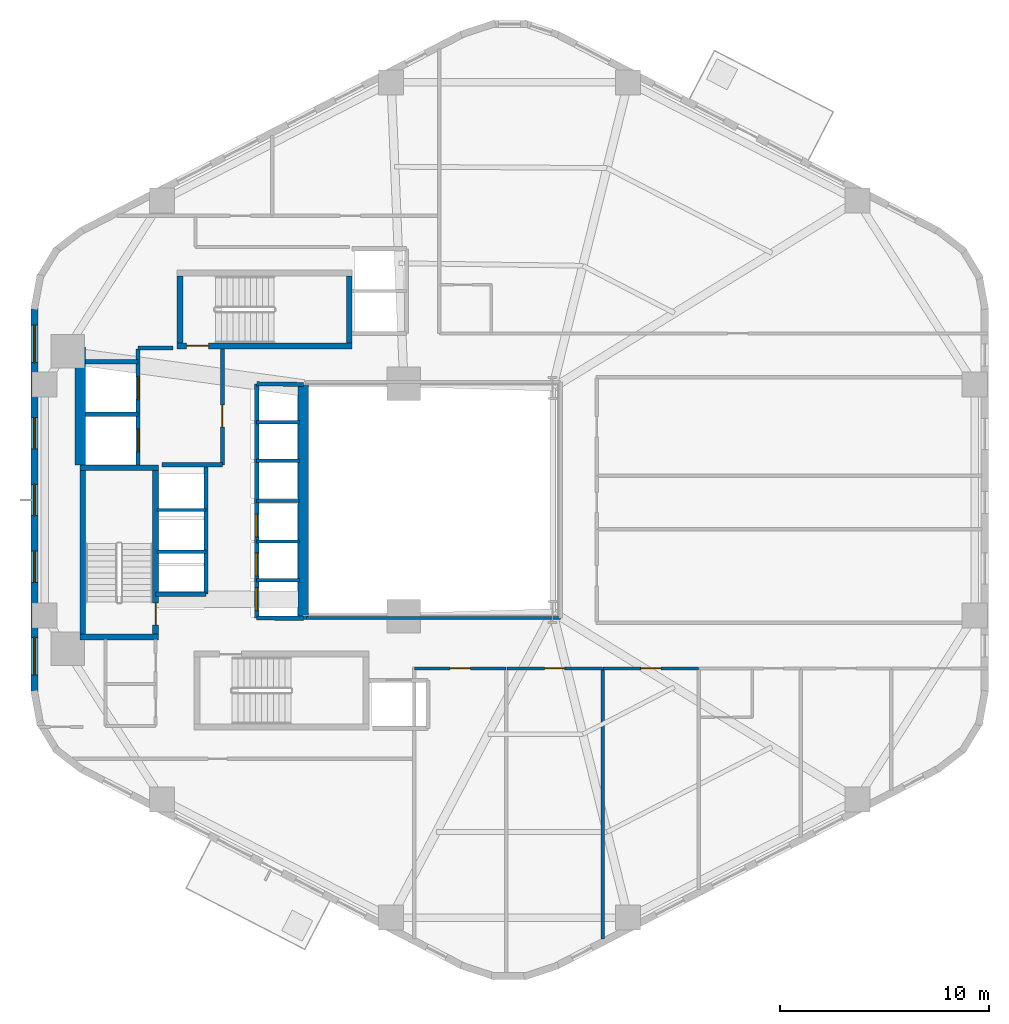
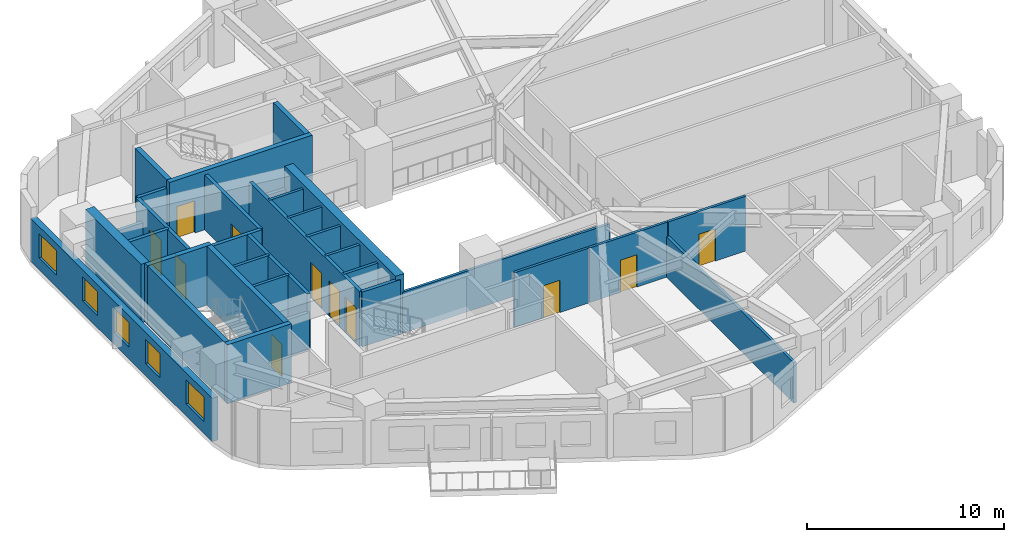
# One storey, part 3 of 8: 33 walls, 11 doors, 5 windows, 16 openings.
"""IFC4 building model written with IfcOpenShell, lengths in metres."""

from ifc_helpers import new_model, si_unit, direction, frame, frame_2d, origin, place, context, subcontext, project, spatial, rectangle, extrude, material, layer, layer_set, type_object, element, fill, save


model = new_model("IFC4")

# Units and contexts
model_context = context("Model", 3, precision=1e-05, world=origin(), true_north=direction((0.0, 1.0)))
body_context = subcontext(model_context, "Body", "Model", "MODEL_VIEW")
ifc_project = project(units=[si_unit("LENGTHUNIT", "METRE"), si_unit("AREAUNIT", "SQUARE_METRE"), si_unit("VOLUMEUNIT", "CUBIC_METRE"), si_unit("PLANEANGLEUNIT", "RADIAN"), si_unit("MASSUNIT", "GRAM", prefix="KILO"), si_unit("THERMODYNAMICTEMPERATUREUNIT", "KELVIN"), si_unit("POWERUNIT", "WATT")], contexts=[model_context])

# Site, building, storey
site_placement = place(None, origin())
site = spatial("IfcSite", under=ifc_project, at=site_placement, CompositionType="ELEMENT")
building_placement = place(site_placement, origin())
building = spatial("IfcBuilding", under=site, at=building_placement, Name="Skarre Station Tower", CompositionType="ELEMENT")
storey_placement = place(building_placement, frame((0.0, 0.0, 81.75)))
storey = spatial("IfcBuildingStorey", under=building, at=storey_placement, Name="L21", CompositionType="ELEMENT", Elevation=81.75)

# Wall
ifc_material_1 = material(Name="Acoustic Steel-Stud Gypsum Partition", Category="steel")
ifc_layer_1 = layer(ifc_material_1, 0.14990234375, Name="Acoustic Steel-Stud Gypsum Partition")
ifc_layer_set_1 = layer_set([ifc_layer_1], Name="Acoustic Steel-Stud Gypsum Partition")
wall_type_1 = type_object("IfcWallType", Name="Fire-Rated Corridor Acoustic Partition 150", PredefinedType="PARTITIONING", material=ifc_layer_set_1)
wall_1_placement = place(storey_placement, frame((27.699951171875, 18.360107421875, 0.0), z_axis=(0.0, 0.0, 1.0), x_axis=(1.0, 0.0, 0.0)))
element("IfcWall", 1, at=wall_1_placement, inside=storey, type_object=wall_type_1, Name="L21 Interior Partition WL-PT-L21-ATRW-S", PredefinedType="PARTITIONING", context=body_context, shape_type="SweptSolid", body=[
    extrude(rectangle(XDim=12.14013671875, YDim=0.14990234375, at=frame_2d((6.070068359375, 0.0))), origin(), (0.0, 0.0, 1.0), 2.531005859375),
])

# Wall, opening, door
wall_2_placement = place(storey_placement, frame((32.85009765625, 15.9599609375, 0.0), z_axis=(0.0, 0.0, 1.0), x_axis=(1.0, 0.0, 0.0)))
wall_2 = element("IfcWall", 2, at=wall_2_placement, inside=storey, type_object=wall_type_1, Name="L21 Interior Partition WL-PT-L21-SW1-CW", PredefinedType="PARTITIONING", context=body_context, shape_type="SweptSolid", body=[
    extrude(rectangle(XDim=4.37890625, YDim=0.14990234375, at=frame_2d((2.189453125, 0.0))), origin(), (0.0, 0.0, 1.0), 3.389892578125),
])
opening_1_placement = place(wall_2_placement, frame((1.7099609375, 0.0, 0.0)))
opening_1 = element("IfcOpeningElement", 3, at=opening_1_placement, cuts=wall_2, Name="Opening DR-FD60", PredefinedType="OPENING", context=body_context, shape_type="SweptSolid", body=[
    extrude(rectangle(XDim=0.9599609375, YDim=2.0, at=frame_2d((0.47998046875, 1.0))), frame((0.0, 0.0849609375, 0.0), z_axis=(0.0, -1.0, 0.0), x_axis=(1.0, 0.0, 0.0)), (0.0, 0.0, 1.0), 0.169921875),
])
ifc_material_2 = material(Name="Nordic White-Oak Veneer Solid-Core Fire Leaf", Category="wood")
door_type_1 = type_object("IfcDoorType", Name="Corridor Suite Entry Fire Door FD60 960x2150", OperationType="SINGLE_SWING_LEFT", PredefinedType="DOOR", material=ifc_material_2)
door_1_placement = place(opening_1_placement, origin())
door_1 = element("IfcDoor", 4, at=door_1_placement, inside=storey, type_object=door_type_1, Name="L21 SW1 Entry Door", OperationType="SINGLE_SWING_LEFT", OverallHeight=2.0, OverallWidth=0.9599609375, PredefinedType="DOOR", context=body_context, shape_type="SweptSolid", body=[
    extrude(rectangle(XDim=0.9599609375, YDim=2.0, at=frame_2d((0.47998046875, 1.0))), frame((0.0, 0.02490234375, 0.0), z_axis=(0.0, -1.0, 0.0), x_axis=(1.0, 0.0, 0.0)), (0.0, 0.0, 1.0), 0.050048828125),
])
fill(opening_1, door_1)

wall_3_placement = place(storey_placement, frame((37.264892578125, 15.9599609375, 0.0), z_axis=(0.0, 0.0, 1.0), x_axis=(1.0, 0.0, 0.0)))
wall_3 = element("IfcWall", 5, at=wall_3_placement, inside=storey, type_object=wall_type_1, Name="L21 Interior Partition WL-PT-L21-SW2-CW", PredefinedType="PARTITIONING", context=body_context, shape_type="SweptSolid", body=[
    extrude(rectangle(XDim=4.56103515625, YDim=0.14990234375, at=frame_2d((2.280517578125, 0.0))), origin(), (0.0, 0.0, 1.0), 3.389892578125),
])
opening_2_placement = place(wall_3_placement, frame((1.801025390625, 0.0, 0.0)))
opening_2 = element("IfcOpeningElement", 6, at=opening_2_placement, cuts=wall_3, Name="Opening DR-FD60", PredefinedType="OPENING", context=body_context, shape_type="SweptSolid", body=[
    extrude(rectangle(XDim=0.9599609375, YDim=2.0, at=frame_2d((0.47998046875, 1.0))), frame((0.0, 0.0849609375, 0.0), z_axis=(0.0, -1.0, 0.0), x_axis=(1.0, 0.0, 0.0)), (0.0, 0.0, 1.0), 0.169921875),
])
door_2_placement = place(opening_2_placement, origin())
door_2 = element("IfcDoor", 7, at=door_2_placement, inside=storey, type_object=door_type_1, Name="L21 SW2 Entry Door", OperationType="SINGLE_SWING_LEFT", OverallHeight=2.0, OverallWidth=0.9599609375, PredefinedType="DOOR", context=body_context, shape_type="SweptSolid", body=[
    extrude(rectangle(XDim=0.9599609375, YDim=2.0, at=frame_2d((0.47998046875, 1.0))), frame((0.0, 0.02490234375, 0.0), z_axis=(0.0, -1.0, 0.0), x_axis=(1.0, 0.0, 0.0)), (0.0, 0.0, 1.0), 0.050048828125),
])
fill(opening_2, door_2)

wall_4_placement = place(storey_placement, frame((41.862060546875, 15.9599609375, 0.0), z_axis=(0.0, 0.0, 1.0), x_axis=(1.0, 0.0, 0.0)))
wall_4 = element("IfcWall", 8, at=wall_4_placement, inside=storey, type_object=wall_type_1, Name="L21 Interior Partition WL-PT-L21-SW3-CW", PredefinedType="PARTITIONING", context=body_context, shape_type="SweptSolid", body=[
    extrude(rectangle(XDim=4.56201171875, YDim=0.14990234375, at=frame_2d((2.281005859375, 0.0))), origin(), (0.0, 0.0, 1.0), 3.389892578125),
])
opening_3_placement = place(wall_4_placement, frame((1.801025390625, 0.0, 0.0)))
opening_3 = element("IfcOpeningElement", 9, at=opening_3_placement, cuts=wall_4, Name="Opening DR-FD60", PredefinedType="OPENING", context=body_context, shape_type="SweptSolid", body=[
    extrude(rectangle(XDim=0.9599609375, YDim=2.0, at=frame_2d((0.47998046875, 1.0))), frame((0.0, 0.0849609375, 0.0), z_axis=(0.0, -1.0, 0.0), x_axis=(1.0, 0.0, 0.0)), (0.0, 0.0, 1.0), 0.169921875),
])
door_3_placement = place(opening_3_placement, origin())
door_3 = element("IfcDoor", 10, at=door_3_placement, inside=storey, type_object=door_type_1, Name="L21 SW3 Entry Door", OperationType="SINGLE_SWING_LEFT", OverallHeight=2.0, OverallWidth=0.9599609375, PredefinedType="DOOR", context=body_context, shape_type="SweptSolid", body=[
    extrude(rectangle(XDim=0.9599609375, YDim=2.0, at=frame_2d((0.47998046875, 1.0))), frame((0.0, 0.02490234375, 0.0), z_axis=(0.0, -1.0, 0.0), x_axis=(1.0, 0.0, 0.0)), (0.0, 0.0, 1.0), 0.050048828125),
])
fill(opening_3, door_3)

# Wall, openings, windows
ifc_material_3 = material(Name="Precast concrete C45/55", Category="concrete")
ifc_layer_2 = layer(ifc_material_3, 0.340087890625, Name="Precast concrete C45/55")
ifc_layer_set_2 = layer_set([ifc_layer_2], Name="Precast concrete C45/55")
wall_type_2 = type_object("IfcWallType", Name="Nordic Honed Precast Facet Wall 340", PredefinedType="STANDARD", material=ifc_layer_set_2)
wall_5_placement = place(storey_placement, frame((14.70703125, 14.798095703125, 0.0), z_axis=(0.0, 0.0, 1.0), x_axis=(0.0, 1.0, 0.0)))
wall_5 = element("IfcWall", 11, at=wall_5_placement, inside=storey, type_object=wall_type_2, Name="L21 Facet 2 Nordic Precast Masonry Wall", PredefinedType="STANDARD", context=body_context, shape_type="SweptSolid", body=[
    extrude(rectangle(XDim=18.40380859375, YDim=0.340087890625, at=frame_2d((9.201904296875, 0.0))), origin(), (0.0, 0.0, 1.0), 2.68408203125),
])
opening_4_placement = place(wall_5_placement, frame((0.844970703125, 0.0, 0.75)))
opening_4 = element("IfcOpeningElement", 12, at=opening_4_placement, cuts=wall_5, Name="Opening WN-Z1A", PredefinedType="OPENING", context=body_context, shape_type="SweptSolid", body=[
    extrude(rectangle(XDim=1.800048828125, YDim=1.5, at=frame_2d((0.89990234375, 0.75))), frame((0.0, 0.179931640625, 0.0), z_axis=(0.0, -1.0, 0.0), x_axis=(1.0, 0.0, 0.0)), (0.0, 0.0, 1.0), 0.360107421875),
])
opening_5_placement = place(wall_5_placement, frame((5.264892578125, 0.0, 0.75)))
opening_5 = element("IfcOpeningElement", 13, at=opening_5_placement, cuts=wall_5, Name="Opening WN-Z1B", PredefinedType="OPENING", context=body_context, shape_type="SweptSolid", body=[
    extrude(rectangle(XDim=1.5, YDim=1.5, at=frame_2d((0.75, 0.75))), frame((0.0, 0.179931640625, 0.0), z_axis=(0.0, -1.0, 0.0), x_axis=(1.0, 0.0, 0.0)), (0.0, 0.0, 1.0), 0.360107421875),
])
opening_6_placement = place(wall_5_placement, frame((8.451904296875, 0.0, 0.75)))
opening_6 = element("IfcOpeningElement", 14, at=opening_6_placement, cuts=wall_5, Name="Opening WN-Z1B", PredefinedType="OPENING", context=body_context, shape_type="SweptSolid", body=[
    extrude(rectangle(XDim=1.5, YDim=1.5, at=frame_2d((0.75, 0.75))), frame((0.0, 0.179931640625, 0.0), z_axis=(0.0, -1.0, 0.0), x_axis=(1.0, 0.0, 0.0)), (0.0, 0.0, 1.0), 0.360107421875),
])
opening_7_placement = place(wall_5_placement, frame((11.638916015625, 0.0, 0.75)))
opening_7 = element("IfcOpeningElement", 15, at=opening_7_placement, cuts=wall_5, Name="Opening WN-Z1B", PredefinedType="OPENING", context=body_context, shape_type="SweptSolid", body=[
    extrude(rectangle(XDim=1.5, YDim=1.5, at=frame_2d((0.75, 0.75))), frame((0.0, 0.179931640625, 0.0), z_axis=(0.0, -1.0, 0.0), x_axis=(1.0, 0.0, 0.0)), (0.0, 0.0, 1.0), 0.360107421875),
])
opening_8_placement = place(wall_5_placement, frame((15.758056640625, 0.0, 0.75)))
opening_8 = element("IfcOpeningElement", 16, at=opening_8_placement, cuts=wall_5, Name="Opening WN-Z1A", PredefinedType="OPENING", context=body_context, shape_type="SweptSolid", body=[
    extrude(rectangle(XDim=1.800048828125, YDim=1.5, at=frame_2d((0.89990234375, 0.75))), frame((0.0, 0.179931640625, 0.0), z_axis=(0.0, -1.0, 0.0), x_axis=(1.0, 0.0, 0.0)), (0.0, 0.0, 1.0), 0.360107421875),
])
ifc_material_4 = material(Name="Low-Iron Triple Glazing with Bronze Anodized Frame", Category="glass")
window_type_1 = type_object("IfcWindowType", Name="Nordic Punched Triple-Glazed Window 1500x1500", PartitioningType="SINGLE_PANEL", PredefinedType="WINDOW", material=ifc_material_4)
window_1_placement = place(opening_5_placement, origin())
window_1 = element("IfcWindow", 17, at=window_1_placement, inside=storey, type_object=window_type_1, Name="L21 Facade Window WL-FAC-L21-F2-2", OverallHeight=1.5, OverallWidth=1.5, PartitioningType="SINGLE_PANEL", PredefinedType="WINDOW", context=body_context, shape_type="SweptSolid", body=[
    extrude(rectangle(XDim=1.5, YDim=1.5, at=frame_2d((0.75, 0.75))), frame((0.0, 0.030029296875, 0.0), z_axis=(0.0, -1.0, 0.0), x_axis=(1.0, 0.0, 0.0)), (0.0, 0.0, 1.0), 0.06005859375),
])
fill(opening_5, window_1)
window_2_placement = place(opening_6_placement, origin())
window_2 = element("IfcWindow", 18, at=window_2_placement, inside=storey, type_object=window_type_1, Name="L21 Facade Window WL-FAC-L21-F2-3", OverallHeight=1.5, OverallWidth=1.5, PartitioningType="SINGLE_PANEL", PredefinedType="WINDOW", context=body_context, shape_type="SweptSolid", body=[
    extrude(rectangle(XDim=1.5, YDim=1.5, at=frame_2d((0.75, 0.75))), frame((0.0, 0.030029296875, 0.0), z_axis=(0.0, -1.0, 0.0), x_axis=(1.0, 0.0, 0.0)), (0.0, 0.0, 1.0), 0.06005859375),
])
fill(opening_6, window_2)
window_3_placement = place(opening_7_placement, origin())
window_3 = element("IfcWindow", 19, at=window_3_placement, inside=storey, type_object=window_type_1, Name="L21 Facade Window WL-FAC-L21-F2-4", OverallHeight=1.5, OverallWidth=1.5, PartitioningType="SINGLE_PANEL", PredefinedType="WINDOW", context=body_context, shape_type="SweptSolid", body=[
    extrude(rectangle(XDim=1.5, YDim=1.5, at=frame_2d((0.75, 0.75))), frame((0.0, 0.030029296875, 0.0), z_axis=(0.0, -1.0, 0.0), x_axis=(1.0, 0.0, 0.0)), (0.0, 0.0, 1.0), 0.06005859375),
])
fill(opening_7, window_3)
window_type_2 = type_object("IfcWindowType", Name="Nordic Punched Triple-Glazed Window 1800x1500", PartitioningType="SINGLE_PANEL", PredefinedType="WINDOW", material=ifc_material_4)
window_4_placement = place(opening_4_placement, origin())
window_4 = element("IfcWindow", 20, at=window_4_placement, inside=storey, type_object=window_type_2, Name="L21 Facade Window WL-FAC-L21-F2-1", OverallHeight=1.5, OverallWidth=1.800048828125, PartitioningType="SINGLE_PANEL", PredefinedType="WINDOW", context=body_context, shape_type="SweptSolid", body=[
    extrude(rectangle(XDim=1.800048828125, YDim=1.5, at=frame_2d((0.89990234375, 0.75))), frame((0.0, 0.030029296875, 0.0), z_axis=(0.0, -1.0, 0.0), x_axis=(1.0, 0.0, 0.0)), (0.0, 0.0, 1.0), 0.06005859375),
])
fill(opening_4, window_4)
window_5_placement = place(opening_8_placement, origin())
window_5 = element("IfcWindow", 21, at=window_5_placement, inside=storey, type_object=window_type_2, Name="L21 Facade Window WL-FAC-L21-F2-5", OverallHeight=1.5, OverallWidth=1.800048828125, PartitioningType="SINGLE_PANEL", PredefinedType="WINDOW", context=body_context, shape_type="SweptSolid", body=[
    extrude(rectangle(XDim=1.800048828125, YDim=1.5, at=frame_2d((0.89990234375, 0.75))), frame((0.0, 0.030029296875, 0.0), z_axis=(0.0, -1.0, 0.0), x_axis=(1.0, 0.0, 0.0)), (0.0, 0.0, 1.0), 0.06005859375),
])
fill(opening_8, window_5)

# Walls
ifc_material_5 = material(Name="Concrete C50/60", Category="concrete")
ifc_layer_3 = layer(ifc_material_5, 0.280029296875, Name="Concrete C50/60")
ifc_layer_set_3 = layer_set([ifc_layer_3], Name="Concrete C50/60")
wall_type_3 = type_object("IfcWallType", Name="RC Core Shear Wall 280", PredefinedType="SHEAR", material=ifc_layer_set_3)
for number, where, z_axis, x_axis, name in (
    (22, (16.8701171875, 17.4599609375, 0.0), (0.0, 0.0, 1.0), (1.0, 0.0, 0.0), "L21 Stair ST-1 South Shear Wall"),
    (23, (20.6298828125, 25.5400390625, 0.0), (0.0, 0.0, 1.0), (-1.0, 0.0, 0.0), "L21 Stair ST-1 North Shear Wall"),
):
    element("IfcWall", number, at=place(storey_placement, frame(where, z_axis=z_axis, x_axis=x_axis)), inside=storey, type_object=wall_type_3, Name=name, PredefinedType="SHEAR", context=body_context, shape_type="SweptSolid", body=[
        extrude(rectangle(XDim=3.759765625, YDim=0.280029296875, at=frame_2d((1.8798828125, 0.0))), origin(), (0.0, 0.0, 1.0), 3.64990234375),
    ])
wall_6_placement = place(storey_placement, frame((17.010009765625, 25.39990234375, 0.0), z_axis=(0.0, 0.0, 1.0), x_axis=(0.0, -1.0, 0.0)))
element("IfcWall", 24, at=wall_6_placement, inside=storey, type_object=wall_type_3, Name="L21 Stair ST-1 West Shear Wall", PredefinedType="SHEAR", context=body_context, shape_type="SweptSolid", body=[
    extrude(rectangle(XDim=7.7998046875, YDim=0.280029296875, at=frame_2d((3.89990234375, 0.0))), origin(), (0.0, 0.0, 1.0), 3.64990234375),
])

# Wall, opening, door
wall_7_placement = place(storey_placement, frame((20.489990234375, 17.60009765625, 0.0), z_axis=(0.0, 0.0, 1.0), x_axis=(0.0, 1.0, 0.0)))
wall_7 = element("IfcWall", 25, at=wall_7_placement, inside=storey, type_object=wall_type_3, Name="L21 Stair ST-1 East Shear Wall", PredefinedType="SHEAR", context=body_context, shape_type="SweptSolid", body=[
    extrude(rectangle(XDim=7.7998046875, YDim=0.280029296875, at=frame_2d((3.89990234375, 0.0))), origin(), (0.0, 0.0, 1.0), 3.64990234375),
])
opening_9_placement = place(wall_7_placement, frame((0.43994140625, 0.0, 0.0)))
opening_9 = element("IfcOpeningElement", 26, at=opening_9_placement, cuts=wall_7, Name="Opening DR-FD90", PredefinedType="OPENING", context=body_context, shape_type="SweptSolid", body=[
    extrude(rectangle(XDim=1.050048828125, YDim=2.0, at=frame_2d((0.52490234375, 1.0))), frame((0.0, 0.14990234375, 0.0), z_axis=(0.0, -1.0, 0.0), x_axis=(1.0, 0.0, 0.0)), (0.0, 0.0, 1.0), 0.300048828125),
])
ifc_material_6 = material(Name="Fire-Rated Insulated Steel Frame & Timber Core Leaf", Category="steel")
door_type_2 = type_object("IfcDoorType", Name="Stair & FSAE Lobby Fire Door FD90 1050x2150", OperationType="SINGLE_SWING_RIGHT", PredefinedType="DOOR", material=ifc_material_6)
door_4_placement = place(opening_9_placement, origin())
door_4 = element("IfcDoor", 27, at=door_4_placement, inside=storey, type_object=door_type_2, Name="L21 Stair ST-1 Exit Door", OperationType="SINGLE_SWING_RIGHT", OverallHeight=2.0, OverallWidth=1.050048828125, PredefinedType="DOOR", context=body_context, shape_type="SweptSolid", body=[
    extrude(rectangle(XDim=1.050048828125, YDim=2.0, at=frame_2d((0.52490234375, 1.0))), frame((0.0, 0.02490234375, 0.0), z_axis=(0.0, -1.0, 0.0), x_axis=(1.0, 0.0, 0.0)), (0.0, 0.0, 1.0), 0.050048828125),
])
fill(opening_9, door_4)

wall_8_placement = place(storey_placement, frame((21.52001953125, 31.360107421875, 0.0), z_axis=(0.0, 0.0, 1.0), x_axis=(1.0, 0.0, 0.0)))
wall_8 = element("IfcWall", 28, at=wall_8_placement, inside=storey, type_object=wall_type_3, Name="L21 Stair ST-3 South Shear Wall", PredefinedType="SHEAR", context=body_context, shape_type="SweptSolid", body=[
    extrude(rectangle(XDim=8.35986328125, YDim=0.280029296875, at=frame_2d((4.179931640625, 0.0))), origin(), (0.0, 0.0, 1.0), 3.64990234375),
])
opening_10_placement = place(wall_8_placement, frame((0.449951171875, 0.0, 0.0)))
opening_10 = element("IfcOpeningElement", 29, at=opening_10_placement, cuts=wall_8, Name="Opening DR-FD90", PredefinedType="OPENING", context=body_context, shape_type="SweptSolid", body=[
    extrude(rectangle(XDim=1.050048828125, YDim=2.0, at=frame_2d((0.52490234375, 1.0))), frame((0.0, 0.14990234375, 0.0), z_axis=(0.0, -1.0, 0.0), x_axis=(1.0, 0.0, 0.0)), (0.0, 0.0, 1.0), 0.300048828125),
])
door_5_placement = place(opening_10_placement, origin())
door_5 = element("IfcDoor", 30, at=door_5_placement, inside=storey, type_object=door_type_2, Name="L21 Stair ST-3 & FSAE Lobby Direct Exit Door", OperationType="SINGLE_SWING_LEFT", OverallHeight=2.0, OverallWidth=1.050048828125, PredefinedType="DOOR", context=body_context, shape_type="SweptSolid", body=[
    extrude(rectangle(XDim=1.050048828125, YDim=2.0, at=frame_2d((0.52490234375, 1.0))), frame((0.0, 0.02490234375, 0.0), z_axis=(0.0, -1.0, 0.0), x_axis=(1.0, 0.0, 0.0)), (0.0, 0.0, 1.0), 0.050048828125),
])
fill(opening_10, door_5)

# Walls
for number, where, z_axis, x_axis, name in (
    (31, (21.659912109375, 34.699951171875, 0.0), (0.0, 0.0, 1.0), (0.0, -1.0, 0.0), "L21 Stair ST-3 West Shear Wall"),
    (32, (29.739990234375, 31.5, 0.0), (0.0, 0.0, 1.0), (0.0, 1.0, 0.0), "L21 Stair ST-3 East Shear Wall"),
):
    element("IfcWall", number, at=place(storey_placement, frame(where, z_axis=z_axis, x_axis=x_axis)), inside=storey, type_object=wall_type_3, Name=name, PredefinedType="SHEAR", context=body_context, shape_type="SweptSolid", body=[
        extrude(rectangle(XDim=3.199951171875, YDim=0.280029296875, at=frame_2d((1.60009765625, 0.0))), origin(), (0.0, 0.0, 1.0), 3.64990234375),
    ])
ifc_material_7 = material(Name="Concrete C70/85", Category="concrete")
ifc_layer_4 = layer(ifc_material_7, 0.5, Name="Concrete C70/85")
ifc_layer_set_4 = layer_set([ifc_layer_4], Name="Concrete C70/85")
wall_type_4 = type_object("IfcWallType", Name="RC Core Shear Wall 500", PredefinedType="SHEAR", material=ifc_layer_set_4)
wall_9_placement = place(storey_placement, frame((16.89990234375, 25.679931640625, 0.0), z_axis=(0.0, 0.0, 1.0), x_axis=(0.0, 1.0, 0.0)))
element("IfcWall", 33, at=wall_9_placement, inside=storey, type_object=wall_type_4, Name="L21 Core West-North Shear Wall", PredefinedType="SHEAR", context=body_context, shape_type="SweptSolid", body=[
    extrude(rectangle(XDim=5.6201171875, YDim=0.5, at=frame_2d((2.81005859375, 0.0))), origin(), (0.0, 0.0, 1.0), 3.64990234375),
])
wall_10_placement = place(storey_placement, frame((27.550048828125, 29.550048828125, 0.0), z_axis=(0.0, 0.0, 1.0), x_axis=(0.0, -1.0, 0.0)))
element("IfcWall", 34, at=wall_10_placement, inside=storey, type_object=wall_type_4, Name="L21 Core East Atrium Shear Wall", PredefinedType="SHEAR", context=body_context, shape_type="SweptSolid", body=[
    extrude(rectangle(XDim=11.25, YDim=0.5, at=frame_2d((5.625, 0.0))), origin(), (0.0, 0.0, 1.0), 3.64990234375),
])

# Wall, openings, doors
ifc_material_8 = material(Name="Gypsum Concrete Shaft Assembly C30/37", Category="concrete")
ifc_layer_5 = layer(ifc_material_8, 0.199951171875, Name="Gypsum Concrete Shaft Assembly C30/37")
ifc_layer_set_5 = layer_set([ifc_layer_5], Name="Gypsum Concrete Shaft Assembly C30/37")
wall_type_5 = type_object("IfcWallType", Name="Shaft & Core Fire Partition 200", PredefinedType="PARTITIONING", material=ifc_layer_set_5)
wall_11_placement = place(storey_placement, frame((19.64990234375, 25.679931640625, 0.0), z_axis=(0.0, 0.0, 1.0), x_axis=(0.0, 1.0, 0.0)))
wall_11 = element("IfcWall", 35, at=wall_11_placement, inside=storey, type_object=wall_type_5, Name="L21 Interior Partition WL-PT-L21-FSAE-W", PredefinedType="PARTITIONING", context=body_context, shape_type="SweptSolid", body=[
    extrude(rectangle(XDim=5.5400390625, YDim=0.199951171875, at=frame_2d((2.77001953125, 0.0))), origin(), (0.0, 0.0, 1.0), 3.389892578125),
])
opening_11_placement = place(wall_11_placement, frame((0.6201171875, 0.0, 0.0)))
opening_11 = element("IfcOpeningElement", 36, at=opening_11_placement, cuts=wall_11, Name="Opening LD-FF1", PredefinedType="OPENING", context=body_context, shape_type="SweptSolid", body=[
    extrude(rectangle(XDim=1.10009765625, YDim=2.199951171875, at=frame_2d((0.550048828125, 1.10009765625))), frame((0.0, 0.10986328125, 0.0), z_axis=(0.0, -1.0, 0.0), x_axis=(1.0, 0.0, 0.0)), (0.0, 0.0, 1.0), 0.219970703125),
])
opening_12_placement = place(wall_11_placement, frame((3.1201171875, 0.0, 0.0)))
opening_12 = element("IfcOpeningElement", 37, at=opening_12_placement, cuts=wall_11, Name="Opening LD-FF2", PredefinedType="OPENING", context=body_context, shape_type="SweptSolid", body=[
    extrude(rectangle(XDim=1.10009765625, YDim=2.199951171875, at=frame_2d((0.550048828125, 1.10009765625))), frame((0.0, 0.10986328125, 0.0), z_axis=(0.0, -1.0, 0.0), x_axis=(1.0, 0.0, 0.0)), (0.0, 0.0, 1.0), 0.219970703125),
])
ifc_material_9 = material(Name="Fire-Rated Stainless Steel Grade 316L Sliding Leaves", Category="steel")
door_type_3 = type_object("IfcDoorType", Name="Fire Service Access Elevator Sliding Landing Door 1100x2200", OperationType="SLIDING_TO_LEFT", PredefinedType="DOOR", material=ifc_material_9)
door_6_placement = place(opening_11_placement, origin())
door_6 = element("IfcDoor", 38, at=door_6_placement, inside=storey, type_object=door_type_3, Name="L21 Firefighting Lift LF-FF1 Landing Door", OperationType="SLIDING_TO_LEFT", OverallHeight=2.199951171875, OverallWidth=1.10009765625, PredefinedType="DOOR", context=body_context, shape_type="SweptSolid", body=[
    extrude(rectangle(XDim=1.10009765625, YDim=2.199951171875, at=frame_2d((0.550048828125, 1.10009765625))), frame((0.0, 0.02490234375, 0.0), z_axis=(0.0, -1.0, 0.0), x_axis=(1.0, 0.0, 0.0)), (0.0, 0.0, 1.0), 0.050048828125),
])
fill(opening_11, door_6)
door_7_placement = place(opening_12_placement, origin())
door_7 = element("IfcDoor", 39, at=door_7_placement, inside=storey, type_object=door_type_3, Name="L21 Firefighting Lift LF-FF2 Landing Door", OperationType="SLIDING_TO_LEFT", OverallHeight=2.199951171875, OverallWidth=1.10009765625, PredefinedType="DOOR", context=body_context, shape_type="SweptSolid", body=[
    extrude(rectangle(XDim=1.10009765625, YDim=2.199951171875, at=frame_2d((0.550048828125, 1.10009765625))), frame((0.0, 0.02490234375, 0.0), z_axis=(0.0, -1.0, 0.0), x_axis=(1.0, 0.0, 0.0)), (0.0, 0.0, 1.0), 0.050048828125),
])
fill(opening_12, door_7)

# Wall
wall_12_placement = place(storey_placement, frame((20.79296875, 25.679931640625, 0.0), z_axis=(0.0, 0.0, 1.0), x_axis=(1.0, 0.0, 0.0)))
element("IfcWall", 40, at=wall_12_placement, inside=storey, type_object=wall_type_5, Name="L21 Interior Partition WL-PT-L21-FSAE-S", PredefinedType="PARTITIONING", context=body_context, shape_type="SweptSolid", body=[
    extrude(rectangle(XDim=2.886962890625, YDim=0.199951171875, at=frame_2d((1.443359375, 0.0))), origin(), (0.0, 0.0, 1.0), 3.389892578125),
])

# Wall, opening, door
wall_13_placement = place(storey_placement, frame((23.679931640625, 25.679931640625, 0.0), z_axis=(0.0, 0.0, 1.0), x_axis=(0.0, 1.0, 0.0)))
wall_13 = element("IfcWall", 41, at=wall_13_placement, inside=storey, type_object=wall_type_5, Name="L21 Interior Partition WL-PT-L21-FSAE-E", PredefinedType="PARTITIONING", context=body_context, shape_type="SweptSolid", body=[
    extrude(rectangle(XDim=5.5400390625, YDim=0.199951171875, at=frame_2d((2.77001953125, 0.0))), origin(), (0.0, 0.0, 1.0), 3.389892578125),
])
opening_13_placement = place(wall_13_placement, frame((1.800048828125, 0.0, 0.0)))
opening_13 = element("IfcOpeningElement", 42, at=opening_13_placement, cuts=wall_13, Name="Opening DR-FD90", PredefinedType="OPENING", context=body_context, shape_type="SweptSolid", body=[
    extrude(rectangle(XDim=1.050048828125, YDim=2.0, at=frame_2d((0.52490234375, 1.0))), frame((0.0, 0.10986328125, 0.0), z_axis=(0.0, -1.0, 0.0), x_axis=(1.0, 0.0, 0.0)), (0.0, 0.0, 1.0), 0.219970703125),
])
door_8_placement = place(opening_13_placement, origin())
door_8 = element("IfcDoor", 43, at=door_8_placement, inside=storey, type_object=door_type_2, Name="L21 FSAE Lobby Fire Door", OperationType="SINGLE_SWING_RIGHT", OverallHeight=2.0, OverallWidth=1.050048828125, PredefinedType="DOOR", context=body_context, shape_type="SweptSolid", body=[
    extrude(rectangle(XDim=1.050048828125, YDim=2.0, at=frame_2d((0.52490234375, 1.0))), frame((0.0, 0.02490234375, 0.0), z_axis=(0.0, -1.0, 0.0), x_axis=(1.0, 0.0, 0.0)), (0.0, 0.0, 1.0), 0.050048828125),
])
fill(opening_13, door_8)

# Walls
wall_14_placement = place(storey_placement, frame((21.330078125, 31.260009765625, 0.0), z_axis=(0.0, 0.0, 1.0), x_axis=(-1.0, 0.0, 0.0)))
element("IfcWall", 44, at=wall_14_placement, inside=storey, type_object=wall_type_5, Name="L21 Interior Partition WL-PT-L21-FSAE-N", PredefinedType="PARTITIONING", context=body_context, shape_type="SweptSolid", body=[
    extrude(rectangle(XDim=1.68017578125, YDim=0.199951171875, at=frame_2d((0.840087890625, 0.0))), origin(), (0.0, 0.0, 1.0), 3.389892578125),
])
wall_15_placement = place(storey_placement, frame((17.14990234375, 28.10009765625, 0.0), z_axis=(0.0, 0.0, 1.0), x_axis=(1.0, 0.0, 0.0)))
element("IfcWall", 45, at=wall_15_placement, inside=storey, type_object=wall_type_5, Name="L21 Interior Partition WL-PT-L21-FF-DIV", PredefinedType="PARTITIONING", context=body_context, shape_type="SweptSolid", body=[
    extrude(rectangle(XDim=2.5, YDim=0.199951171875, at=frame_2d((1.25, 0.0))), origin(), (0.0, 0.0, 1.0), 3.389892578125),
])
wall_16_placement = place(storey_placement, frame((19.64990234375, 30.60009765625, 0.0), z_axis=(0.0, 0.0, 1.0), x_axis=(-1.0, 0.0, 0.0)))
element("IfcWall", 46, at=wall_16_placement, inside=storey, type_object=wall_type_5, Name="L21 Interior Partition WL-PT-L21-FF-N", PredefinedType="PARTITIONING", context=body_context, shape_type="SweptSolid", body=[
    extrude(rectangle(XDim=2.5, YDim=0.199951171875, at=frame_2d((1.25, 0.0))), origin(), (0.0, 0.0, 1.0), 2.2900390625),
])
wall_17_placement = place(storey_placement, frame((22.89990234375, 19.5, 0.0), z_axis=(0.0, 0.0, 1.0), x_axis=(0.0, 1.0, 0.0)))
element("IfcWall", 47, at=wall_17_placement, inside=storey, type_object=wall_type_5, Name="L21 Interior Partition WL-PT-L21-B3-E", PredefinedType="PARTITIONING", context=body_context, shape_type="SweptSolid", body=[
    extrude(rectangle(XDim=6.0849609375, YDim=0.199951171875, at=frame_2d((3.04248046875, 0.0))), origin(), (0.0, 0.0, 1.0), 3.389892578125),
])
wall_18_placement = place(storey_placement, frame((20.489990234375, 19.5, 0.0), z_axis=(0.0, 0.0, 1.0), x_axis=(1.0, 0.0, 0.0)))
element("IfcWall", 48, at=wall_18_placement, inside=storey, type_object=wall_type_5, Name="L21 Interior Partition WL-PT-L21-B3-S", PredefinedType="PARTITIONING", context=body_context, shape_type="SweptSolid", body=[
    extrude(rectangle(XDim=2.409912109375, YDim=0.199951171875, at=frame_2d((1.205078125, 0.0))), origin(), (0.0, 0.0, 1.0), 2.2900390625),
])
for number, where, z_axis, x_axis, name in (
    (49, (20.550048828125, 21.52001953125, 0.0), (0.0, 0.0, 1.0), (1.0, 0.0, 0.0), "L21 Interior Partition WL-PT-L21-B3-D1"),
    (50, (20.550048828125, 23.52001953125, 0.0), (0.0, 0.0, 1.0), (1.0, 0.0, 0.0), "L21 Interior Partition WL-PT-L21-B3-D2"),
):
    element("IfcWall", number, at=place(storey_placement, frame(where, z_axis=z_axis, x_axis=x_axis)), inside=storey, type_object=wall_type_5, Name=name, PredefinedType="PARTITIONING", context=body_context, shape_type="SweptSolid", body=[
        extrude(rectangle(XDim=2.349853515625, YDim=0.159912109375, at=frame_2d((1.1748046875, 0.0))), origin(), (0.0, 0.0, 1.0), 3.389892578125),
    ])

# Wall, openings, doors
wall_19_placement = place(storey_placement, frame((25.320068359375, 29.550048828125, 0.0), z_axis=(0.0, 0.0, 1.0), x_axis=(0.0, -1.0, 0.0)))
wall_19 = element("IfcWall", 51, at=wall_19_placement, inside=storey, type_object=wall_type_5, Name="L21 Interior Partition WL-PT-L21-B12-W", PredefinedType="PARTITIONING", context=body_context, shape_type="SweptSolid", body=[
    extrude(rectangle(XDim=11.18994140625, YDim=0.199951171875, at=frame_2d((5.594970703125, 0.0))), origin(), (0.0, 0.0, 1.0), 3.389892578125),
])
opening_14_placement = place(wall_19_placement, frame((6.219970703125, 0.0, 0.0)))
opening_14 = element("IfcOpeningElement", 52, at=opening_14_placement, cuts=wall_19, Name="Opening LD-P3", PredefinedType="OPENING", context=body_context, shape_type="SweptSolid", body=[
    extrude(rectangle(XDim=1.10009765625, YDim=2.199951171875, at=frame_2d((0.550048828125, 1.10009765625))), frame((0.0, 0.10986328125, 0.0), z_axis=(0.0, -1.0, 0.0), x_axis=(1.0, 0.0, 0.0)), (0.0, 0.0, 1.0), 0.219970703125),
])
opening_15_placement = place(wall_19_placement, frame((8.070068359375, 0.0, 0.0)))
opening_15 = element("IfcOpeningElement", 53, at=opening_15_placement, cuts=wall_19, Name="Opening LD-P2", PredefinedType="OPENING", context=body_context, shape_type="SweptSolid", body=[
    extrude(rectangle(XDim=1.10009765625, YDim=2.199951171875, at=frame_2d((0.550048828125, 1.10009765625))), frame((0.0, 0.10986328125, 0.0), z_axis=(0.0, -1.0, 0.0), x_axis=(1.0, 0.0, 0.0)), (0.0, 0.0, 1.0), 0.219970703125),
])
opening_16_placement = place(wall_19_placement, frame((9.72998046875, 0.0, 0.0)))
opening_16 = element("IfcOpeningElement", 54, at=opening_16_placement, cuts=wall_19, Name="Opening LD-P1", PredefinedType="OPENING", context=body_context, shape_type="SweptSolid", body=[
    extrude(rectangle(XDim=1.10009765625, YDim=2.199951171875, at=frame_2d((0.550048828125, 1.10009765625))), frame((0.0, 0.10986328125, 0.0), z_axis=(0.0, -1.0, 0.0), x_axis=(1.0, 0.0, 0.0)), (0.0, 0.0, 1.0), 0.219970703125),
])
ifc_material_10 = material(Name="Brushed Bronze Stainless Steel Sliding Leaves", Category="steel")
door_type_4 = type_object("IfcDoorType", Name="Passenger Elevator Center-Parting Sliding Door 1100x2200", OperationType="SLIDING_TO_LEFT", PredefinedType="DOOR", material=ifc_material_10)
door_9_placement = place(opening_14_placement, origin())
door_9 = element("IfcDoor", 55, at=door_9_placement, inside=storey, type_object=door_type_4, Name="L21 Passenger Lift LF-P3 Landing Door", OperationType="SLIDING_TO_LEFT", OverallHeight=2.199951171875, OverallWidth=1.10009765625, PredefinedType="DOOR", context=body_context, shape_type="SweptSolid", body=[
    extrude(rectangle(XDim=1.10009765625, YDim=2.199951171875, at=frame_2d((0.550048828125, 1.10009765625))), frame((0.0, 0.02490234375, 0.0), z_axis=(0.0, -1.0, 0.0), x_axis=(1.0, 0.0, 0.0)), (0.0, 0.0, 1.0), 0.050048828125),
])
fill(opening_14, door_9)
door_10_placement = place(opening_15_placement, origin())
door_10 = element("IfcDoor", 56, at=door_10_placement, inside=storey, type_object=door_type_4, Name="L21 Passenger Lift LF-P2 Landing Door", OperationType="SLIDING_TO_LEFT", OverallHeight=2.199951171875, OverallWidth=1.10009765625, PredefinedType="DOOR", context=body_context, shape_type="SweptSolid", body=[
    extrude(rectangle(XDim=1.10009765625, YDim=2.199951171875, at=frame_2d((0.550048828125, 1.10009765625))), frame((0.0, 0.02490234375, 0.0), z_axis=(0.0, -1.0, 0.0), x_axis=(1.0, 0.0, 0.0)), (0.0, 0.0, 1.0), 0.050048828125),
])
fill(opening_15, door_10)
door_11_placement = place(opening_16_placement, origin())
door_11 = element("IfcDoor", 57, at=door_11_placement, inside=storey, type_object=door_type_4, Name="L21 Passenger Lift LF-P1 Landing Door", OperationType="SLIDING_TO_LEFT", OverallHeight=2.199951171875, OverallWidth=1.10009765625, PredefinedType="DOOR", context=body_context, shape_type="SweptSolid", body=[
    extrude(rectangle(XDim=1.10009765625, YDim=2.199951171875, at=frame_2d((0.550048828125, 1.10009765625))), frame((0.0, 0.02490234375, 0.0), z_axis=(0.0, -1.0, 0.0), x_axis=(1.0, 0.0, 0.0)), (0.0, 0.0, 1.0), 0.050048828125),
])
fill(opening_16, door_11)

# Walls
wall_20_placement = place(storey_placement, frame((25.320068359375, 18.360107421875, 0.0), z_axis=(0.0, 0.0, 1.0), x_axis=(0.999989925833, -0.004488678231, 0.0)))
element("IfcWall", 58, at=wall_20_placement, inside=storey, type_object=wall_type_5, Name="L21 Interior Partition WL-PT-L21-B12-S", PredefinedType="PARTITIONING", context=body_context, shape_type="SweptSolid", body=[
    extrude(rectangle(XDim=2.22998046875, YDim=0.199951171875, at=frame_2d((1.114990234375, 0.0))), origin(), (0.0, 0.0, 1.0), 3.389892578125),
])
wall_21_placement = place(storey_placement, frame((27.550048828125, 29.52001953125, 0.0), z_axis=(0.0, 0.0, 1.0), x_axis=(-0.999909343457, 0.013464949556, 0.0)))
element("IfcWall", 59, at=wall_21_placement, inside=storey, type_object=wall_type_5, Name="L21 Interior Partition WL-PT-L21-B12-N", PredefinedType="PARTITIONING", context=body_context, shape_type="SweptSolid", body=[
    extrude(rectangle(XDim=2.230224609375, YDim=0.199951171875, at=frame_2d((1.115234375, 0.0))), origin(), (0.0, 0.0, 1.0), 2.2900390625),
])
for number, where, z_axis, x_axis, name in (
    (60, (25.320068359375, 20.169921875, 0.0), (0.0, 0.0, 1.0), (1.0, 0.0, 0.0), "L21 Interior Partition WL-PT-L21-B12-D201"),
    (61, (25.320068359375, 22.02001953125, 0.0), (0.0, 0.0, 1.0), (1.0, 0.0, 0.0), "L21 Interior Partition WL-PT-L21-B12-D220"),
    (62, (25.320068359375, 23.949951171875, 0.0), (0.0, 0.0, 1.0), (1.0, 0.0, 0.0), "L21 Interior Partition WL-PT-L21-B12-D239"),
    (63, (25.320068359375, 25.8701171875, 0.0), (0.0, 0.0, 1.0), (1.0, 0.0, 0.0), "L21 Interior Partition WL-PT-L21-B12-D258"),
    (64, (25.320068359375, 27.719970703125, 0.0), (0.0, 0.0, 1.0), (1.0, 0.0, 0.0), "L21 Interior Partition WL-PT-L21-B12-D277"),
):
    element("IfcWall", number, at=place(storey_placement, frame(where, z_axis=z_axis, x_axis=x_axis)), inside=storey, type_object=wall_type_5, Name=name, PredefinedType="PARTITIONING", context=body_context, shape_type="SweptSolid", body=[
        extrude(rectangle(XDim=2.030029296875, YDim=0.159912109375, at=frame_2d((1.01513671875, 0.0))), origin(), (0.0, 0.0, 1.0), 3.389892578125),
    ])
ifc_layer_6 = layer(ifc_material_1, 0.1650390625, Name="Acoustic Steel-Stud Gypsum Partition")
ifc_layer_set_6 = layer_set([ifc_layer_6], Name="Acoustic Steel-Stud Gypsum Partition")
wall_type_6 = type_object("IfcWallType", Name="Suite Demising Acoustic Partition 165", PredefinedType="PARTITIONING", material=ifc_layer_set_6)
wall_22_placement = place(storey_placement, frame((41.843994140625, 3.02001953125, 0.0), z_axis=(0.0, 0.0, 1.0), x_axis=(0.0, 1.0, 0.0)))
element("IfcWall", 65, at=wall_22_placement, inside=storey, type_object=wall_type_6, Name="L21 Interior Partition WL-PT-L21-SW-P2", PredefinedType="PARTITIONING", context=body_context, shape_type="SweptSolid", body=[
    extrude(rectangle(XDim=12.909912109375, YDim=0.1650390625, at=frame_2d((6.455078125, 0.0))), origin(), (0.0, 0.0, 1.0), 2.512939453125),
])

save(model, "model.ifc")
